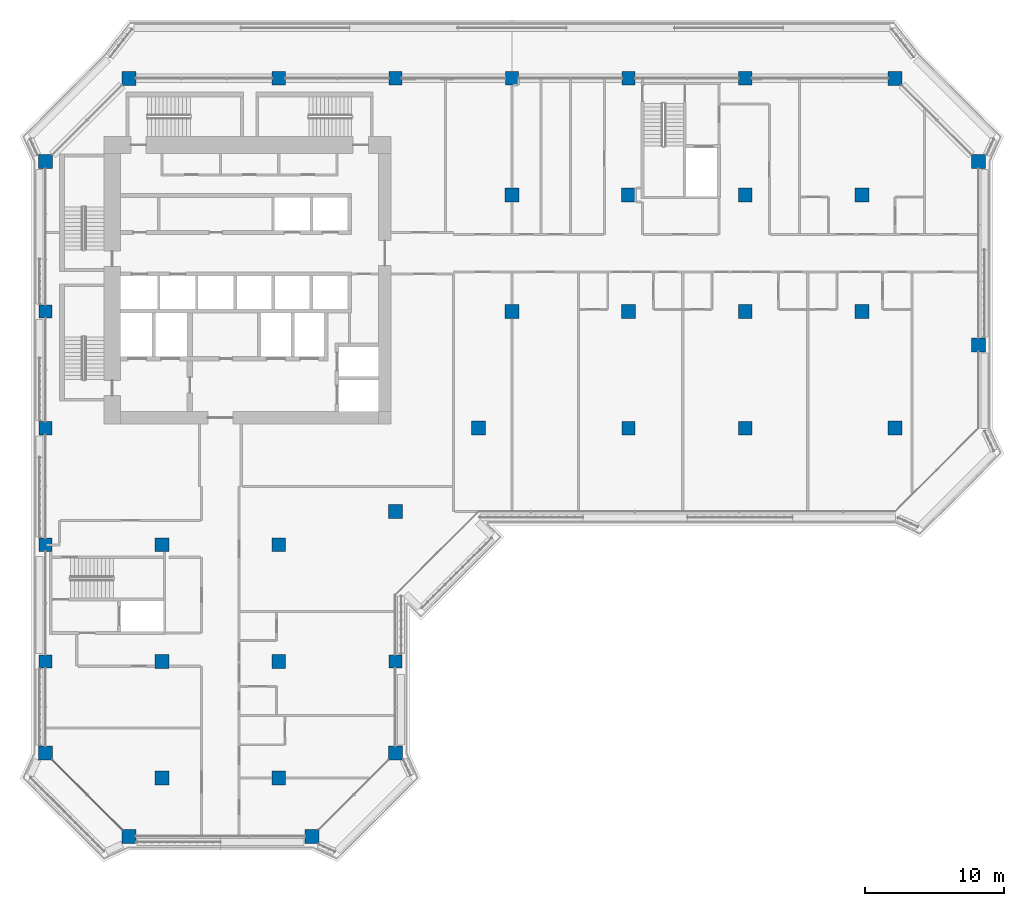
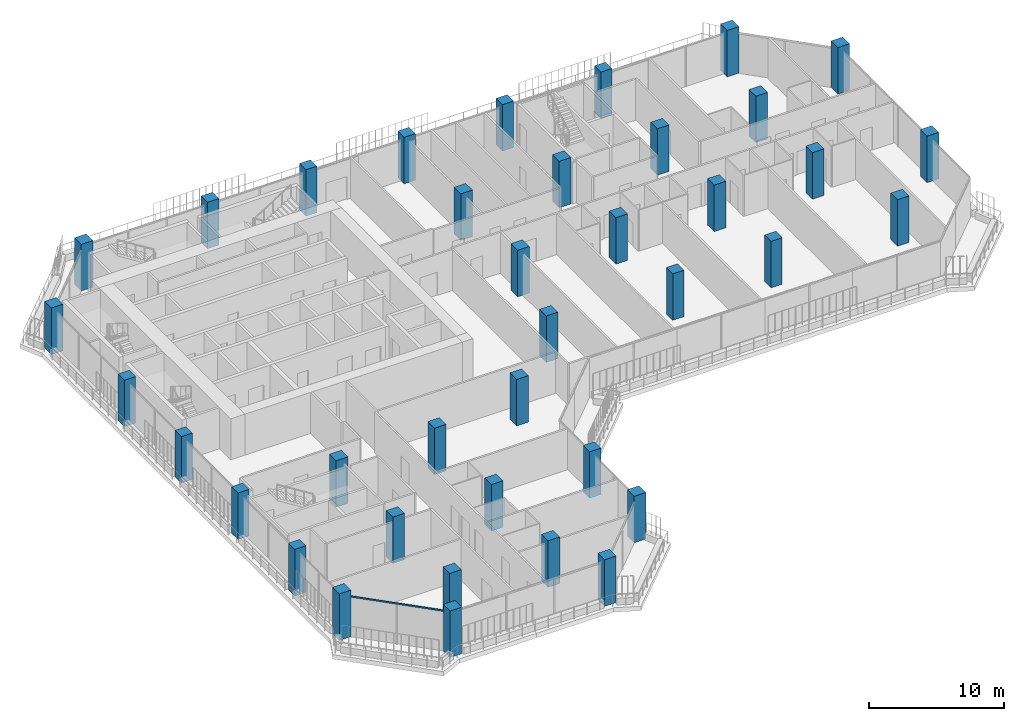
# One storey, part 1 of 22: 38 columns, 1 member, 1 element without a shape of its own.
"""IFC4 building model written with IfcOpenShell, lengths in metres."""

from ifc_helpers import new_model, si_unit, direction, frame, origin, origin_2d, place, context, subcontext, project, spatial, rectangle, extrude, material, layer, layer_set, material_profile, profile_set, type_object, element, aggregate, save


model = new_model("IFC4")

# Units and contexts
model_context = context("Model", 3, precision=1e-05, world=origin(), true_north=direction((0.0, 1.0)))
body_context = subcontext(model_context, "Body", "Model", "MODEL_VIEW")
ifc_project = project(units=[si_unit("LENGTHUNIT", "METRE"), si_unit("AREAUNIT", "SQUARE_METRE"), si_unit("VOLUMEUNIT", "CUBIC_METRE"), si_unit("PLANEANGLEUNIT", "RADIAN"), si_unit("MASSUNIT", "GRAM", prefix="KILO")], contexts=[model_context])

# Site, building, storey
site_placement = place(None, origin())
site = spatial("IfcSite", under=ifc_project, at=site_placement, CompositionType="ELEMENT")
building_placement = place(site_placement, origin())
building = spatial("IfcBuilding", under=site, at=building_placement, Name="Kawkab Arch Medical Tower", CompositionType="ELEMENT")
storey_placement = place(building_placement, frame((0.0, 0.0, 208.800048828125)))
storey = spatial("IfcBuildingStorey", under=building, at=storey_placement, Name="L48", CompositionType="ELEMENT", Elevation=208.800048828125)

# Columns
ifc_material_1 = material(Name="Concrete C50/60", Category="concrete")
ifc_material_profile_1 = material_profile(ifc_material_1, rectangle(XDim=1.0, YDim=1.0, at=origin_2d()), Name="RC 1000x1000")
ifc_profile_set_1 = profile_set([ifc_material_profile_1], Name="Concrete C50/60")
column_type_1 = type_object("IfcColumnType", Name="RC 1000x1000 column C50/60", PredefinedType="COLUMN", material=ifc_profile_set_1)
for number, where, z_axis, x_axis, name in (
    (1, (6.0, 0.0, 0.0), (0.0, 0.0, 1.0), (1.0, 0.0, 0.0), "Column RC 1000x1000"),
    (2, (61.199951171875, 0.0, 0.0), (0.0, 0.0, 1.0), (1.0, 0.0, 0.0), "Column RC 1000x1000"),
    (3, (0.0, -6.0, 0.0), (0.0, 0.0, 1.0), (1.0, 0.0, 0.0), "Column RC 1000x1000"),
    (4, (67.199951171875, -6.0, 0.0), (0.0, 0.0, 1.0), (1.0, 0.0, 0.0), "Column RC 1000x1000"),
    (5, (33.60009765625, -8.39990234375, 0.0), (0.0, 0.0, 1.0), (1.0, 0.0, 0.0), "Column RC 1000x1000"),
    (6, (42.0, -8.39990234375, 0.0), (0.0, 0.0, 1.0), (1.0, 0.0, 0.0), "Column RC 1000x1000"),
    (7, (50.39990234375, -8.39990234375, 0.0), (0.0, 0.0, 1.0), (1.0, 0.0, 0.0), "Column RC 1000x1000"),
    (8, (58.800048828125, -8.39990234375, 0.0), (0.0, 0.0, 1.0), (1.0, 0.0, 0.0), "Column RC 1000x1000"),
    (9, (33.60009765625, -16.800048828125, 0.0), (0.0, 0.0, 1.0), (1.0, 0.0, 0.0), "Column RC 1000x1000"),
    (10, (42.0, -16.800048828125, 0.0), (0.0, 0.0, 1.0), (1.0, 0.0, 0.0), "Column RC 1000x1000"),
    (11, (50.39990234375, -16.800048828125, 0.0), (0.0, 0.0, 1.0), (1.0, 0.0, 0.0), "Column RC 1000x1000"),
    (12, (58.800048828125, -16.800048828125, 0.0), (0.0, 0.0, 1.0), (1.0, 0.0, 0.0), "Column RC 1000x1000"),
    (13, (67.199951171875, -19.199951171875, 0.0), (0.0, 0.0, 1.0), (1.0, 0.0, 0.0), "Column RC 1000x1000"),
    (14, (31.199951171875, -25.199951171875, 0.0), (0.0, 0.0, 1.0), (1.0, 0.0, 0.0), "Column RC 1000x1000"),
    (15, (61.199951171875, -25.199951171875, 0.0), (0.0, 0.0, 1.0), (1.0, 0.0, 0.0), "Column RC 1000x1000"),
    (16, (25.199951171875, -31.199951171875, 0.0), (0.0, 0.0, 1.0), (1.0, 0.0, 0.0), "Column RC 1000x1000"),
    (17, (8.39990234375, -33.60009765625, 0.0), (0.0, 0.0, 1.0), (1.0, 0.0, 0.0), "Column RC 1000x1000"),
    (18, (16.800048828125, -33.60009765625, 0.0), (0.0, 0.0, 1.0), (1.0, 0.0, 0.0), "Column RC 1000x1000"),
    (19, (8.39990234375, -42.0, 0.0), (0.0, 0.0, 1.0), (1.0, 0.0, 0.0), "Column RC 1000x1000"),
    (20, (16.800048828125, -42.0, 0.0), (0.0, 0.0, 1.0), (1.0, 0.0, 0.0), "Column RC 1000x1000"),
    (21, (0.0, -48.60009765625, 0.0), (0.0, 0.0, 1.0), (1.0, 0.0, 0.0), "Column RC 1000x1000"),
    (22, (25.199951171875, -48.60009765625, 0.0), (0.0, 0.0, 1.0), (1.0, 0.0, 0.0), "Column RC 1000x1000"),
    (23, (8.39990234375, -50.39990234375, 0.0), (0.0, 0.0, 1.0), (1.0, 0.0, 0.0), "Column RC 1000x1000"),
    (24, (16.800048828125, -50.39990234375, 0.0), (0.0, 0.0, 1.0), (1.0, 0.0, 0.0), "Column RC 1000x1000"),
    (25, (6.0, -54.60009765625, 0.0), (0.0, 0.0, 1.0), (1.0, 0.0, 0.0), "Column RC 1000x1000"),
    (26, (19.199951171875, -54.60009765625, 0.0), (0.0, 0.0, 1.0), (1.0, 0.0, 0.0), "Column RC 1000x1000"),
):
    element("IfcColumn", number, at=place(storey_placement, frame(where, z_axis=z_axis, x_axis=x_axis)), inside=storey, type_object=column_type_1, Name=name, PredefinedType="COLUMN", context=body_context, shape_type="SweptSolid", body=[
        extrude(rectangle(XDim=1.0, YDim=1.0, at=origin_2d()), origin(), (0.0, 0.0, 1.0), 4.199951171875),
    ])
ifc_material_2 = material(Name="Concrete C50/60", Category="concrete")
ifc_material_profile_2 = material_profile(ifc_material_2, rectangle(XDim=0.949951171875, YDim=0.949951171875, at=origin_2d()), Name="RC 950x950")
ifc_profile_set_2 = profile_set([ifc_material_profile_2], Name="Concrete C50/60")
column_type_2 = type_object("IfcColumnType", Name="RC 950x950 column C50/60", PredefinedType="COLUMN", material=ifc_profile_set_2)
for number, where, z_axis, x_axis, name in (
    (27, (16.800048828125, 0.0, 0.0), (0.0, 0.0, 1.0), (1.0, 0.0, 0.0), "Column RC 950x950"),
    (28, (25.199951171875, 0.0, 0.0), (0.0, 0.0, 1.0), (1.0, 0.0, 0.0), "Column RC 950x950"),
    (29, (33.60009765625, 0.0, 0.0), (0.0, 0.0, 1.0), (1.0, 0.0, 0.0), "Column RC 950x950"),
    (30, (42.0, 0.0, 0.0), (0.0, 0.0, 1.0), (1.0, 0.0, 0.0), "Column RC 950x950"),
    (31, (50.39990234375, 0.0, 0.0), (0.0, 0.0, 1.0), (1.0, 0.0, 0.0), "Column RC 950x950"),
    (32, (0.0, -16.800048828125, 0.0), (0.0, 0.0, 1.0), (1.0, 0.0, 0.0), "Column RC 950x950"),
    (33, (0.0, -25.199951171875, 0.0), (0.0, 0.0, 1.0), (1.0, 0.0, 0.0), "Column RC 950x950"),
    (34, (42.0, -25.199951171875, 0.0), (0.0, 0.0, 1.0), (1.0, 0.0, 0.0), "Column RC 950x950"),
    (35, (50.39990234375, -25.199951171875, 0.0), (0.0, 0.0, 1.0), (1.0, 0.0, 0.0), "Column RC 950x950"),
    (36, (0.0, -33.60009765625, 0.0), (0.0, 0.0, 1.0), (1.0, 0.0, 0.0), "Column RC 950x950"),
    (37, (0.0, -42.0, 0.0), (0.0, 0.0, 1.0), (1.0, 0.0, 0.0), "Column RC 950x950"),
    (38, (25.199951171875, -42.0, 0.0), (0.0, 0.0, 1.0), (1.0, 0.0, 0.0), "Column RC 950x950"),
):
    element("IfcColumn", number, at=place(storey_placement, frame(where, z_axis=z_axis, x_axis=x_axis)), inside=storey, type_object=column_type_2, Name=name, PredefinedType="COLUMN", context=body_context, shape_type="SweptSolid", body=[
        extrude(rectangle(XDim=0.949951171875, YDim=0.949951171875, at=origin_2d()), origin(), (0.0, 0.0, 1.0), 4.199951171875),
    ])

# Curtain wall, member
ifc_material_3 = material(Name="Bronze anodised aluminium curtain wall frame", Category="aluminium")
ifc_layer = layer(ifc_material_3, 0.159912109375)
ifc_layer_set = layer_set([ifc_layer], Name="Bronze anodised aluminium curtain wall frame")
curtain_wall_type = type_object("IfcCurtainWallType", Name="CW2 chamfer curtain wall", PredefinedType="NOTDEFINED", material=ifc_layer_set)
curtain_wall_placement = place(storey_placement, origin())
curtain_wall = element("IfcCurtainWall", 39, at=curtain_wall_placement, inside=storey, type_object=curtain_wall_type, Name="CW2 Chamfer curtain wall R02", PredefinedType="NOTDEFINED")
ifc_material_4 = material(Name="Bronze anodised aluminium curtain wall frame", Category="aluminium")
ifc_material_profile_3 = material_profile(ifc_material_4, rectangle(XDim=0.06005859375, YDim=0.139892578125, at=origin_2d()), Name="AL 60x140")
ifc_profile_set_3 = profile_set([ifc_material_profile_3], Name="Bronze anodised aluminium curtain wall frame")
member_type = type_object("IfcMemberType", Name="CW2 transom 140 x 60", PredefinedType="USERDEFINED", material=ifc_profile_set_3)
member_placement = place(storey_placement, frame((0.5, -49.10009765625, 3.6298828125), z_axis=(0.707106781187, -0.707106781187, 0.0), x_axis=(0.707106781187, 0.707106781187, 0.0)))
member = element("IfcMember", 40, at=member_placement, type_object=member_type, Name="CW2 transom 1", ObjectType="TRANSOM", PredefinedType="USERDEFINED", context=body_context, shape_type="SweptSolid", body=[
    extrude(rectangle(XDim=0.06005859375, YDim=0.139892578125, at=origin_2d()), origin(), (0.0, 0.0, 1.0), 7.071044921875),
])
aggregate(curtain_wall, [member])

save(model, "model.ifc")
